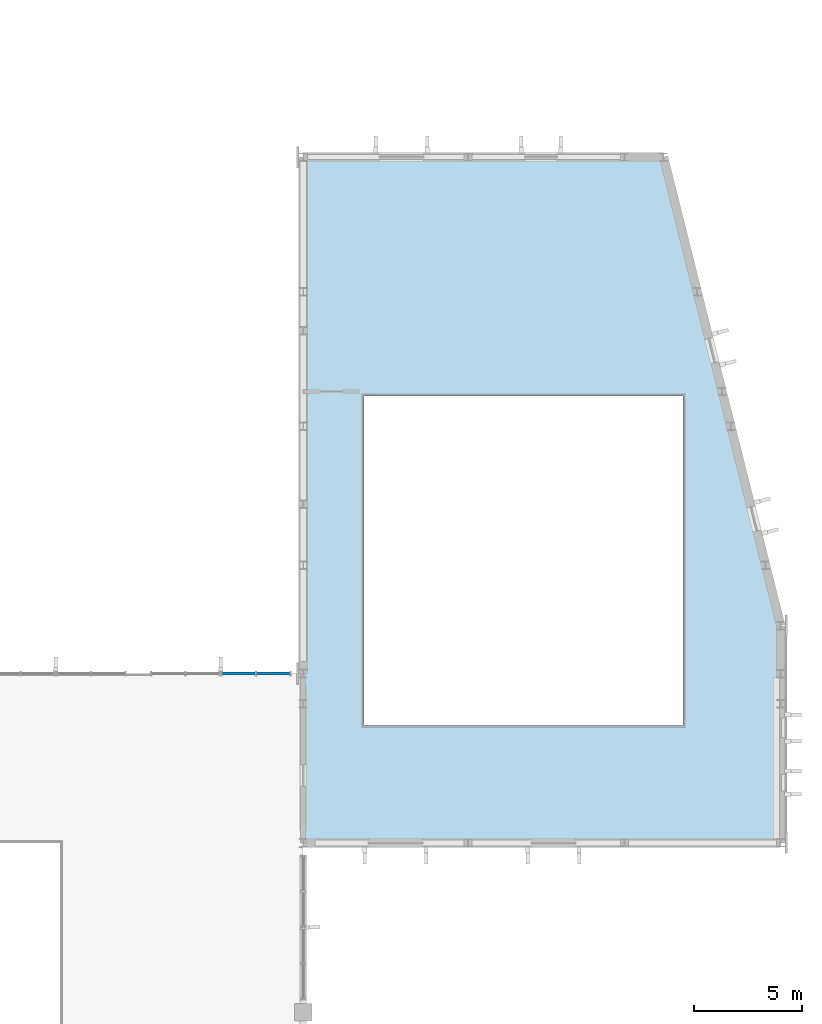
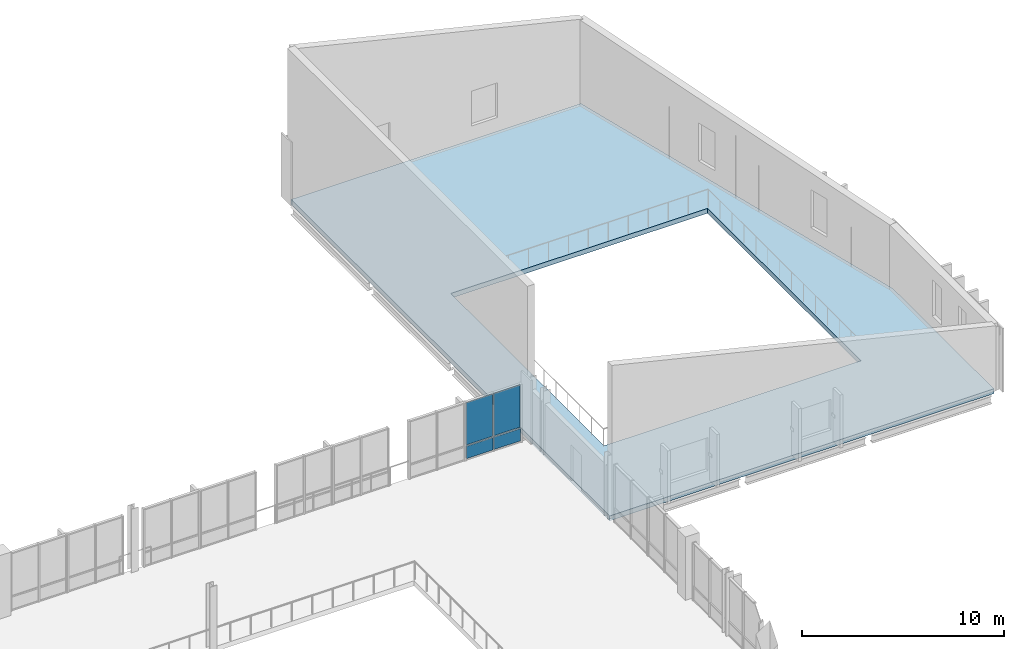
# One storey, part 34 of 64: 4 plates, 1 slab, 1 element without a shape of its own.
"""IFC4 building model written with IfcOpenShell, lengths in metres."""

from ifc_helpers import new_model, si_unit, direction, frame, origin, origin_2d, place, context, subcontext, project, spatial, polyline, rectangle, outline, extrude, material, layer, layer_set, type_object, element, aggregate, save


model = new_model("IFC4")

# Units and contexts
model_context = context("Model", 3, precision=1e-05, world=origin(), true_north=direction((0.0, 1.0)))
body_context = subcontext(model_context, "Body", "Model", "MODEL_VIEW")
ifc_project = project(units=[si_unit("LENGTHUNIT", "METRE"), si_unit("AREAUNIT", "SQUARE_METRE"), si_unit("VOLUMEUNIT", "CUBIC_METRE"), si_unit("PLANEANGLEUNIT", "RADIAN"), si_unit("MASSUNIT", "GRAM", prefix="KILO")], contexts=[model_context])

# Site, building, storey
site_placement = place(None, origin())
site = spatial("IfcSite", under=ifc_project, at=site_placement, CompositionType="ELEMENT")
building_placement = place(site_placement, origin())
building = spatial("IfcBuilding", under=site, at=building_placement, Name="Vervanel Yard Central Library", CompositionType="ELEMENT")
storey_placement = place(building_placement, frame((0.0, 0.0, 8.93994140625)))
storey = spatial("IfcBuildingStorey", under=building, at=storey_placement, Name="L02", CompositionType="ELEMENT", Elevation=8.93994140625)

# Slab
ifc_material_1 = material(Name="Concrete C40/50", Category="concrete")
ifc_layer_1 = layer(ifc_material_1, 0.2900390625, Category="concrete")
ifc_layer_set_1 = layer_set([ifc_layer_1], Name="Concrete C40/50")
slab_type = type_object("IfcSlabType", Name="Auditorium Balcony Floor Slab 290", PredefinedType="FLOOR", material=ifc_layer_set_1)
slab_placement = place(storey_placement, frame((0.0, 0.0, -0.2900390625)))
element("IfcSlab", 1, at=slab_placement, inside=storey, type_object=slab_type, Name="L02 V4 Auditorium Balcony Floor Slab 290", PredefinedType="FLOOR", context=body_context, shape_type="SweptSolid", body=[
    extrude(outline(polyline([(146.0, 74.39990234375), (168.0, 74.39990234375), (168.0, 84.39990234375), (162.60009765625, 106.0), (146.0, 106.0), (146.0, 74.39990234375)]), holes=[polyline([(148.800048828125, 79.800048828125), (163.5, 79.800048828125), (163.5, 95.0), (148.800048828125, 95.0), (148.800048828125, 79.800048828125)])]), origin(), (0.0, 0.0, 1.0), 0.2900390625),
])

# Curtain wall, plates
ifc_material_2 = material(Name="Thermally broken anodized aluminium 6063-T6", Category="aluminium")
curtain_wall_type = type_object("IfcCurtainWallType", Name="Reading Hall Full-Height Curtain Wall", PredefinedType="NOTDEFINED", material=ifc_material_2)
curtain_wall_placement = place(storey_placement, origin())
curtain_wall = element("IfcCurtainWall", 2, at=curtain_wall_placement, inside=storey, type_object=curtain_wall_type, Name="L02 Reading Hall Full-Height Curtain Wall CWR-L02-107", PredefinedType="NOTDEFINED")
ifc_material_3 = material(Name="Double low-E laminated solar-control glass", Category="glass")
ifc_layer_2 = layer(ifc_material_3, 0.0380859375, Category="glass")
ifc_layer_set_2 = layer_set([ifc_layer_2], Name="Double low-E laminated solar-control glass")
plate_type_1 = type_object("IfcPlateType", Name="Reading Hall Acoustic Vision Panel 38", PredefinedType="CURTAIN_PANEL", material=ifc_layer_set_2)
plate_1_placement = place(storey_placement, frame((143.027587890625, 82.199951171875, 0.88525390625), z_axis=(0.0, 0.0, 1.0), x_axis=(1.0, 0.0, 0.0)))
plate_1 = element("IfcPlate", 3, at=plate_1_placement, type_object=plate_type_1, Name="CWR-L02-107 Panel B1-2", PredefinedType="CURTAIN_PANEL", context=body_context, shape_type="SweptSolid", body=[
    extrude(rectangle(XDim=1.514892578125, YDim=0.0380859375, at=origin_2d()), origin(), (0.0, 0.0, 1.0), 2.554931640625),
])
plate_2_placement = place(storey_placement, frame((144.612548828125, 82.199951171875, 0.88525390625), z_axis=(0.0, 0.0, 1.0), x_axis=(1.0, 0.0, 0.0)))
plate_2 = element("IfcPlate", 4, at=plate_2_placement, type_object=plate_type_1, Name="CWR-L02-107 Panel B2-2", PredefinedType="CURTAIN_PANEL", context=body_context, shape_type="SweptSolid", body=[
    extrude(rectangle(XDim=1.514892578125, YDim=0.0380859375, at=origin_2d()), origin(), (0.0, 0.0, 1.0), 2.554931640625),
])
ifc_material_4 = material(Name="Insulated bronze aluminium spandrel panel", Category="aluminium")
ifc_layer_3 = layer(ifc_material_4, 0.094970703125, Category="aluminium")
ifc_layer_set_3 = layer_set([ifc_layer_3], Name="Insulated bronze aluminium spandrel panel")
plate_type_2 = type_object("IfcPlateType", Name="Reading Hall Shadow-Box Spandrel 95", PredefinedType="CURTAIN_PANEL", material=ifc_layer_set_3)
plate_3_placement = place(storey_placement, frame((143.027587890625, 82.199951171875, 0.070068359375), z_axis=(0.0, 0.0, 1.0), x_axis=(1.0, 0.0, 0.0)))
plate_3 = element("IfcPlate", 5, at=plate_3_placement, type_object=plate_type_2, Name="CWR-L02-107 Panel B1-1", PredefinedType="CURTAIN_PANEL", context=body_context, shape_type="SweptSolid", body=[
    extrude(rectangle(XDim=1.514892578125, YDim=0.094970703125, at=origin_2d()), origin(), (0.0, 0.0, 1.0), 0.7451171875),
])
plate_4_placement = place(storey_placement, frame((144.612548828125, 82.199951171875, 0.070068359375), z_axis=(0.0, 0.0, 1.0), x_axis=(1.0, 0.0, 0.0)))
plate_4 = element("IfcPlate", 6, at=plate_4_placement, type_object=plate_type_2, Name="CWR-L02-107 Panel B2-1", PredefinedType="CURTAIN_PANEL", context=body_context, shape_type="SweptSolid", body=[
    extrude(rectangle(XDim=1.514892578125, YDim=0.094970703125, at=origin_2d()), origin(), (0.0, 0.0, 1.0), 0.7451171875),
])
aggregate(curtain_wall, [plate_3, plate_1, plate_4, plate_2])

save(model, "model.ifc")
